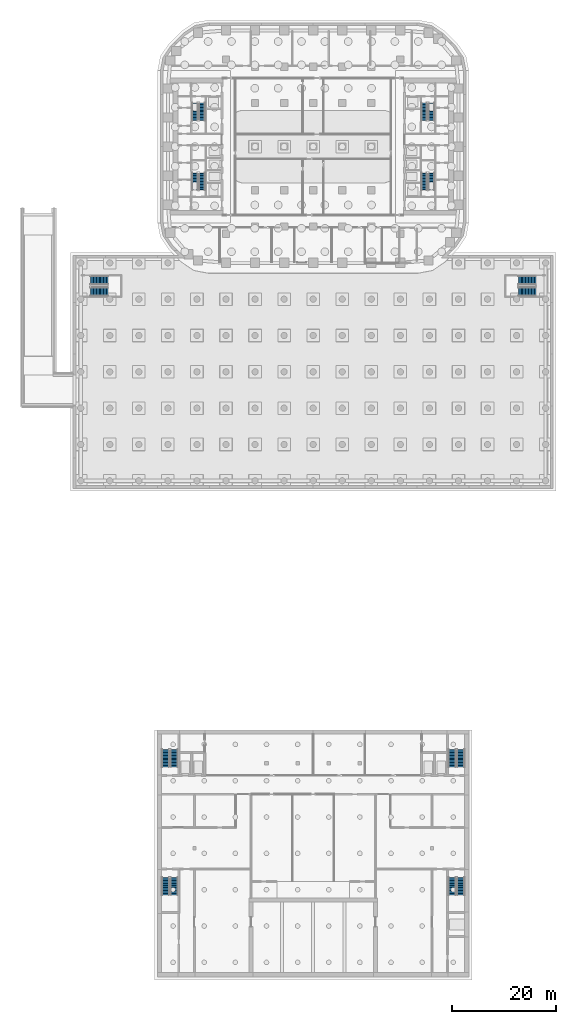
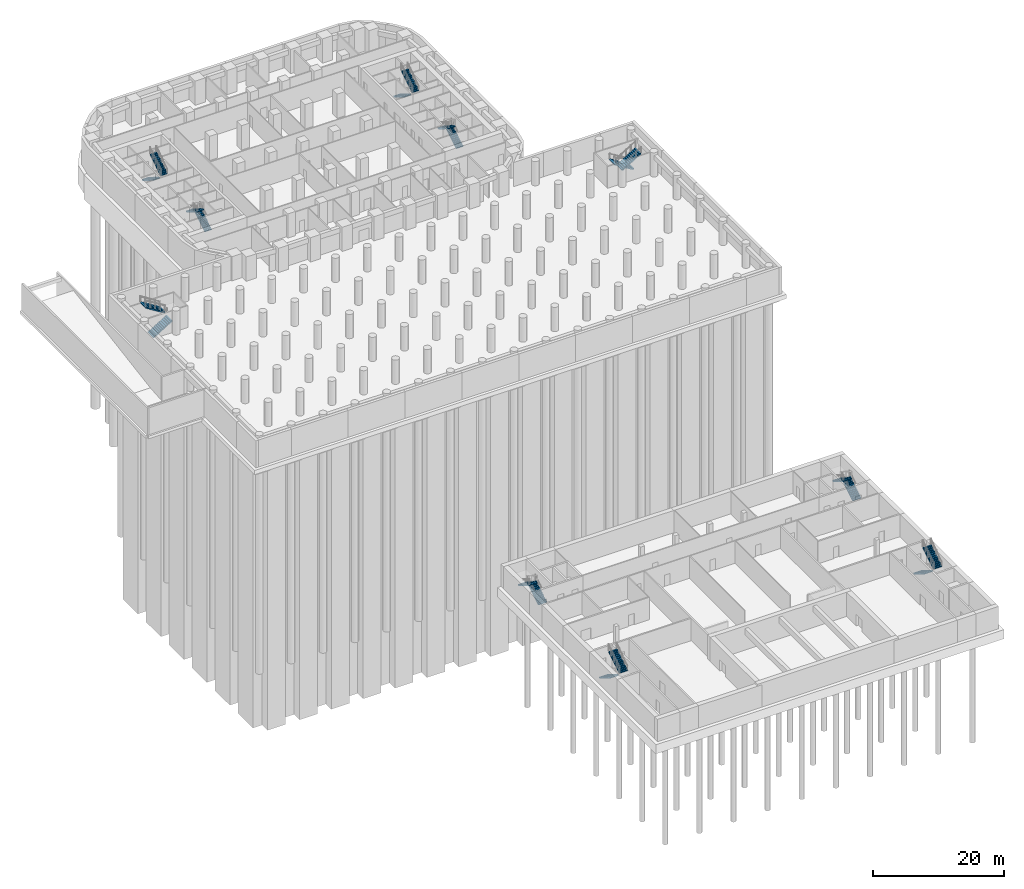
# One storey, part 15 of 23: 20 stair flights, 10 elements without a shape of their own.
"""IFC4 building model written with IfcOpenShell, lengths in metres."""

import ifcopenshell
import ifcopenshell.guid

model = None  # the IFC model being written
_history = None  # IfcOwnerHistory: only IFC2X3 demands one
_inside = {}  # id of a spatial element -> (the spatial element, [elements in it])
_under = {}  # id of a project, library or spatial element -> (it, [spatial elements below it])
_declared = {}  # id of a project -> (the project, [libraries it declares])
_typed = {}  # id of a type object -> (the type object, [elements of that type])
_made_of = {}  # id of a material, layer set ... -> (it, [elements and type objects made of it])


def new_model(schema):
    """Start an empty IFC model of exactly this schema.

    Asked for "IFC4X3", IfcOpenShell would pick the latest addendum, in which some entities
    have other attributes; the version numbers below select the first issue.
    IFC2X3 requires an IfcOwnerHistory on every rooted entity: one is made here for all.
    """
    global model, _history
    if schema == "IFC4X3":
        model = ifcopenshell.file(schema_version=(4, 3, 0, 0))
    else:
        model = ifcopenshell.file(schema=schema)
    _inside.clear()
    _under.clear()
    _declared.clear()
    _typed.clear()
    _made_of.clear()
    _history = None
    if model.schema == "IFC2X3":
        org = make("IfcOrganization", Name="unknown")
        user = make(
            "IfcPersonAndOrganization",
            ThePerson=make("IfcPerson", FamilyName="unknown"),
            TheOrganization=org,
        )
        app = make(
            "IfcApplication",
            ApplicationDeveloper=org,
            Version="unknown",
            ApplicationFullName="unknown",
            ApplicationIdentifier="unknown",
        )
        _history = make(
            "IfcOwnerHistory",
            OwningUser=user,
            OwningApplication=app,
            ChangeAction="ADDED",
            CreationDate=0,
        )
    return model


def make(cls, **values):
    """One entity of the class cls with the attributes given. An attribute that is None is left unset."""
    return model.create_entity(
        cls, **{name: value for name, value in values.items() if value is not None}
    )


def rooted(cls, **values):
    """An entity with a GlobalId (a new one), such as an element, a storey or a relation."""
    return make(cls, GlobalId=ifcopenshell.guid.new(), OwnerHistory=_history, **values)


def si_unit(unit_type, name, prefix=None):
    """IfcSIUnit, for example si_unit("LENGTHUNIT", "METRE", prefix="MILLI")."""
    return make("IfcSIUnit", UnitType=unit_type, Prefix=prefix, Name=name)


def assignment(units):
    """IfcUnitAssignment: the units of a project."""
    return None if units is None else make("IfcUnitAssignment", Units=units)


def point(xyz):
    """IfcCartesianPoint."""
    return None if xyz is None else make("IfcCartesianPoint", Coordinates=xyz)


def direction(xyz):
    """IfcDirection."""
    return None if xyz is None else make("IfcDirection", DirectionRatios=xyz)


def frame(location, z_axis=None, x_axis=None):
    """IfcAxis2Placement3D, a coordinate frame: its origin and axes. An axis left out is left unset."""
    return make(
        "IfcAxis2Placement3D",
        Location=point(location),
        Axis=direction(z_axis),
        RefDirection=direction(x_axis),
    )


def origin():
    """The frame at (0, 0, 0) with its axes left unset."""
    return frame((0.0, 0.0, 0.0))


def place(relative_to, where):
    """IfcLocalPlacement: puts the frame where relative to a parent placement (None: the world)."""
    return make(
        "IfcLocalPlacement", PlacementRelTo=relative_to, RelativePlacement=where
    )


def context(
    kind, dimensions, precision=None, world=None, true_north=None, identifier=None
):
    """IfcGeometricRepresentationContext, for example the 3D "Model" context."""
    return make(
        "IfcGeometricRepresentationContext",
        ContextIdentifier=identifier,
        ContextType=kind,
        CoordinateSpaceDimension=dimensions,
        Precision=precision,
        WorldCoordinateSystem=world,
        TrueNorth=true_north,
    )


def subcontext(parent, identifier, kind, view, scale=None):
    """IfcGeometricRepresentationSubContext, for example "Body" below "Model"."""
    return make(
        "IfcGeometricRepresentationSubContext",
        ContextIdentifier=identifier,
        ContextType=kind,
        ParentContext=parent,
        TargetScale=scale,
        TargetView=view,
    )


def project(units=None, contexts=None):
    """IfcProject with its units and contexts."""
    return rooted(
        "IfcProject",
        Name="project",
        RepresentationContexts=contexts,
        UnitsInContext=assignment(units),
    )


def spatial(cls, under=None, at=None, **own):
    """A site, building, storey or space (cls), placed at a placement, below another one or the project."""
    s = rooted(cls, ObjectPlacement=at, **own)
    if under is not None:
        _under.setdefault(under.id(), (under, []))[1].append(s)
    return s


def polyline(points):
    """IfcPolyline through the points."""
    return make("IfcPolyline", Points=[point(p) for p in points])


def outline(outer, holes=None, kind="AREA"):
    """IfcArbitraryClosedProfileDef: a profile drawn as a closed curve; with holes, ...WithVoids."""
    if holes is None:
        return make("IfcArbitraryClosedProfileDef", ProfileType=kind, OuterCurve=outer)
    return make(
        "IfcArbitraryProfileDefWithVoids",
        ProfileType=kind,
        OuterCurve=outer,
        InnerCurves=holes,
    )


def extrude(swept, where, along, depth):
    """IfcExtrudedAreaSolid: the profile swept, set in the frame where, extruded along a direction by depth."""
    return make(
        "IfcExtrudedAreaSolid",
        SweptArea=swept,
        Position=where,
        ExtrudedDirection=direction(along),
        Depth=depth,
    )


def shape(context_of_items, identifier, shape_type, items):
    """IfcShapeRepresentation: the items that make up one representation, for example the "Body"."""
    return make(
        "IfcShapeRepresentation",
        ContextOfItems=context_of_items,
        RepresentationIdentifier=identifier,
        RepresentationType=shape_type,
        Items=items,
    )


def material(Name=None, Category=None):
    """IfcMaterial."""
    return make("IfcMaterial", Name=Name, Category=Category)


def made_of(thing, what):
    """Note that an element or type object is made of a material, layer set ...; save() writes the relation."""
    if what is not None:
        _made_of.setdefault(what.id(), (what, []))[1].append(thing)
    return thing


def type_object(cls, material=None, **own):
    """A type object (cls), such as IfcWallType, which elements share."""
    return made_of(rooted(cls, **own), material)


def element(
    cls,
    number,
    at=None,
    inside=None,
    cuts=None,
    type_object=None,
    material=None,
    context=None,
    identifier="Body",
    shape_type=None,
    held_by="IfcProductDefinitionShape",
    body=None,
    shapes=None,
    **own,
):
    """One element of the class cls, such as IfcWall. Its Tag is "e" and its number.

    at: its placement. inside: the storey or other place that contains it. cuts: it is an
    opening in that element (IfcRelVoidsElement). A single representation is given by context,
    identifier, shape_type and body (its items); several are given by shapes. held_by: the class
    of the entity that holds the representations. save() writes the other relations.
    """
    e = rooted(cls, Tag="e%d" % number, ObjectPlacement=at, **own)
    if body is not None:
        shapes = [shape(context, identifier, shape_type, body)]
    if shapes is not None:
        e.Representation = make(held_by, Representations=shapes)
    if inside is not None:
        _inside.setdefault(inside.id(), (inside, []))[1].append(e)
    if cuts is not None:
        rooted(
            "IfcRelVoidsElement", RelatingBuildingElement=cuts, RelatedOpeningElement=e
        )
    if type_object is not None:
        _typed.setdefault(type_object.id(), (type_object, []))[1].append(e)
    return made_of(e, material)


def aggregate(whole, parts):
    """IfcRelAggregates: a whole, such as a stair, and the parts it consists of."""
    return rooted("IfcRelAggregates", RelatingObject=whole, RelatedObjects=parts)


def save(model, path):
    """Write the relations noted so far, then the file.

    IfcRelAggregates (storeys below a building ...), IfcRelContainedInSpatialStructure (elements
    in a storey), IfcRelDefinesByType, IfcRelAssociatesMaterial and IfcRelDeclares: one each for
    every whole, place, type object, material and project.
    """
    for whole, parts in _under.values():
        aggregate(whole, parts)
    for where, things in _inside.values():
        rooted(
            "IfcRelContainedInSpatialStructure",
            RelatedElements=things,
            RelatingStructure=where,
        )
    for kind, things in _typed.values():
        rooted("IfcRelDefinesByType", RelatedObjects=things, RelatingType=kind)
    for what, things in _made_of.values():
        rooted("IfcRelAssociatesMaterial", RelatedObjects=things, RelatingMaterial=what)
    for by, libraries in _declared.values():
        rooted("IfcRelDeclares", RelatingContext=by, RelatedDefinitions=libraries)
    model.write(path)


model = new_model("IFC4")

# Units and contexts
model_context = context("Model", 3, precision=1e-05, world=origin(), true_north=direction((0.0, 1.0)))
body_context = subcontext(model_context, "Body", "Model", "MODEL_VIEW")
ifc_project = project(units=[si_unit("LENGTHUNIT", "METRE"), si_unit("AREAUNIT", "SQUARE_METRE"), si_unit("VOLUMEUNIT", "CUBIC_METRE"), si_unit("PLANEANGLEUNIT", "RADIAN"), si_unit("MASSUNIT", "GRAM", prefix="KILO")], contexts=[model_context])

# Site, building, storey
site_placement = place(None, origin())
site = spatial("IfcSite", under=ifc_project, at=site_placement, CompositionType="ELEMENT")
building_placement = place(site_placement, origin())
building = spatial("IfcBuilding", under=site, at=building_placement, Name="Kiln Ring Residences", CompositionType="ELEMENT")
storey_placement = place(building_placement, frame((0.0, 0.0, -4.5)))
storey = spatial("IfcBuildingStorey", under=building, at=storey_placement, Name="B1", CompositionType="ELEMENT", Elevation=-4.5)

# Stair, stair flights
ifc_material_1 = material(Name="Concrete C40/50", Category="concrete")
stair_type_1 = type_object("IfcStairType", Name="CORE-STAIR", PredefinedType="HALF_TURN_STAIR", material=ifc_material_1)
placement = place(storey_placement, origin())
stair_1 = element("IfcStair", 1, at=placement, inside=storey, type_object=stair_type_1, Name="B1 stair W-STN", PredefinedType="HALF_TURN_STAIR")
ifc_material_2 = material(Name="Concrete C40/50", Category="concrete")
stair_flight_type_1 = type_object("IfcStairFlightType", Name="CORE-STAIR-FLIGHT", PredefinedType="STRAIGHT", material=ifc_material_2)
stair_flight_1_placement = place(storey_placement, frame((-22.800048828125, 8.39990234375, 0.0), z_axis=(0.0, 0.0, 1.0), x_axis=(0.0, -1.0, 0.0)))
stair_flight_1 = element("IfcStairFlight", 2, at=stair_flight_1_placement, type_object=stair_flight_type_1, Name="W-STN flight 1", NumberOfRisers=13, NumberOfTreads=12, PredefinedType="STRAIGHT", RiserHeight=0.173076923, TreadLength=0.28, context=body_context, shape_type="SweptSolid", body=[
    extrude(outline(polyline([(0.0, 0.0), (0.0, 0.173095703125), (0.280029296875, 0.173095703125), (0.280029296875, 0.34619140625), (0.56005859375, 0.34619140625), (0.56005859375, 0.519287109375), (0.840087890625, 0.519287109375), (0.840087890625, 0.6923828125), (1.1201171875, 0.6923828125), (1.1201171875, 0.865478515625), (1.39990234375, 0.865478515625), (1.39990234375, 1.03857421875), (1.679931640625, 1.03857421875), (1.679931640625, 1.21142578125), (1.9599609375, 1.21142578125), (1.9599609375, 1.384521484375), (2.239990234375, 1.384521484375), (2.239990234375, 1.5576171875), (2.52001953125, 1.5576171875), (2.52001953125, 1.730712890625), (2.800048828125, 1.730712890625), (2.800048828125, 1.90380859375), (3.080078125, 1.90380859375), (3.080078125, 2.076904296875), (3.360107421875, 2.076904296875), (3.360107421875, 2.25), (3.360107421875, 1.900634765625), (0.28515625, 0.0), (0.0, 0.0)])), frame((0.0, 0.60009765625, 0.0), z_axis=(0.0, -1.0, 0.0), x_axis=(1.0, 0.0, 0.0)), (0.0, 0.0, 1.0), 1.199951171875),
])
stair_flight_2_placement = place(storey_placement, frame((-21.39990234375, 5.0400390625, 2.25), z_axis=(0.0, 0.0, 1.0), x_axis=(0.0, 1.0, 0.0)))
stair_flight_2 = element("IfcStairFlight", 3, at=stair_flight_2_placement, type_object=stair_flight_type_1, Name="W-STN flight 2", NumberOfRisers=13, NumberOfTreads=12, PredefinedType="STRAIGHT", RiserHeight=0.173076923, TreadLength=0.28, context=body_context, shape_type="SweptSolid", body=[
    extrude(outline(polyline([(0.0, 0.0), (0.0, 0.173095703125), (0.280029296875, 0.173095703125), (0.280029296875, 0.34619140625), (0.56005859375, 0.34619140625), (0.56005859375, 0.519287109375), (0.840087890625, 0.519287109375), (0.840087890625, 0.6923828125), (1.1201171875, 0.6923828125), (1.1201171875, 0.865478515625), (1.39990234375, 0.865478515625), (1.39990234375, 1.03857421875), (1.679931640625, 1.03857421875), (1.679931640625, 1.21142578125), (1.9599609375, 1.21142578125), (1.9599609375, 1.384521484375), (2.239990234375, 1.384521484375), (2.239990234375, 1.5576171875), (2.52001953125, 1.5576171875), (2.52001953125, 1.730712890625), (2.800048828125, 1.730712890625), (2.800048828125, 1.90380859375), (3.080078125, 1.90380859375), (3.080078125, 2.076904296875), (3.360107421875, 2.076904296875), (3.360107421875, 2.25), (3.360107421875, 1.900634765625), (0.28515625, 0.0), (0.0, 0.0)])), frame((0.0, 0.60009765625, 0.0), z_axis=(0.0, -1.0, 0.0), x_axis=(1.0, 0.0, 0.0)), (0.0, 0.0, 1.0), 1.199951171875),
])
aggregate(stair_1, [stair_flight_1, stair_flight_2])

stair_2 = element("IfcStair", 4, at=placement, inside=storey, type_object=stair_type_1, Name="B1 stair W-STS", PredefinedType="HALF_TURN_STAIR")
stair_flight_3_placement = place(storey_placement, frame((-21.39990234375, -8.39990234375, 0.0), z_axis=(0.0, 0.0, 1.0), x_axis=(0.0, 1.0, 0.0)))
stair_flight_3 = element("IfcStairFlight", 5, at=stair_flight_3_placement, type_object=stair_flight_type_1, Name="W-STS flight 1", NumberOfRisers=13, NumberOfTreads=12, PredefinedType="STRAIGHT", RiserHeight=0.173076923, TreadLength=0.28, context=body_context, shape_type="SweptSolid", body=[
    extrude(outline(polyline([(0.0, 0.0), (0.0, 0.173095703125), (0.280029296875, 0.173095703125), (0.280029296875, 0.34619140625), (0.56005859375, 0.34619140625), (0.56005859375, 0.519287109375), (0.840087890625, 0.519287109375), (0.840087890625, 0.6923828125), (1.1201171875, 0.6923828125), (1.1201171875, 0.865478515625), (1.39990234375, 0.865478515625), (1.39990234375, 1.03857421875), (1.679931640625, 1.03857421875), (1.679931640625, 1.21142578125), (1.9599609375, 1.21142578125), (1.9599609375, 1.384521484375), (2.239990234375, 1.384521484375), (2.239990234375, 1.5576171875), (2.52001953125, 1.5576171875), (2.52001953125, 1.730712890625), (2.800048828125, 1.730712890625), (2.800048828125, 1.90380859375), (3.080078125, 1.90380859375), (3.080078125, 2.076904296875), (3.360107421875, 2.076904296875), (3.360107421875, 2.25), (3.360107421875, 1.900634765625), (0.28515625, 0.0), (0.0, 0.0)])), frame((0.0, 0.60009765625, 0.0), z_axis=(0.0, -1.0, 0.0), x_axis=(1.0, 0.0, 0.0)), (0.0, 0.0, 1.0), 1.199951171875),
])
stair_flight_4_placement = place(storey_placement, frame((-22.800048828125, -5.0400390625, 2.25), z_axis=(0.0, 0.0, 1.0), x_axis=(0.0, -1.0, 0.0)))
stair_flight_4 = element("IfcStairFlight", 6, at=stair_flight_4_placement, type_object=stair_flight_type_1, Name="W-STS flight 2", NumberOfRisers=13, NumberOfTreads=12, PredefinedType="STRAIGHT", RiserHeight=0.173076923, TreadLength=0.28, context=body_context, shape_type="SweptSolid", body=[
    extrude(outline(polyline([(0.0, 0.0), (0.0, 0.173095703125), (0.280029296875, 0.173095703125), (0.280029296875, 0.34619140625), (0.56005859375, 0.34619140625), (0.56005859375, 0.519287109375), (0.840087890625, 0.519287109375), (0.840087890625, 0.6923828125), (1.1201171875, 0.6923828125), (1.1201171875, 0.865478515625), (1.39990234375, 0.865478515625), (1.39990234375, 1.03857421875), (1.679931640625, 1.03857421875), (1.679931640625, 1.21142578125), (1.9599609375, 1.21142578125), (1.9599609375, 1.384521484375), (2.239990234375, 1.384521484375), (2.239990234375, 1.5576171875), (2.52001953125, 1.5576171875), (2.52001953125, 1.730712890625), (2.800048828125, 1.730712890625), (2.800048828125, 1.90380859375), (3.080078125, 1.90380859375), (3.080078125, 2.076904296875), (3.360107421875, 2.076904296875), (3.360107421875, 2.25), (3.360107421875, 1.900634765625), (0.28515625, 0.0), (0.0, 0.0)])), frame((0.0, 0.60009765625, 0.0), z_axis=(0.0, -1.0, 0.0), x_axis=(1.0, 0.0, 0.0)), (0.0, 0.0, 1.0), 1.199951171875),
])
aggregate(stair_2, [stair_flight_3, stair_flight_4])

stair_3 = element("IfcStair", 7, at=placement, inside=storey, type_object=stair_type_1, Name="B1 stair E-STN", PredefinedType="HALF_TURN_STAIR")
stair_flight_5_placement = place(storey_placement, frame((21.39990234375, 8.39990234375, 0.0), z_axis=(0.0, 0.0, 1.0), x_axis=(0.0, -1.0, 0.0)))
stair_flight_5 = element("IfcStairFlight", 8, at=stair_flight_5_placement, type_object=stair_flight_type_1, Name="E-STN flight 1", NumberOfRisers=13, NumberOfTreads=12, PredefinedType="STRAIGHT", RiserHeight=0.173076923, TreadLength=0.28, context=body_context, shape_type="SweptSolid", body=[
    extrude(outline(polyline([(0.0, 0.0), (0.0, 0.173095703125), (0.280029296875, 0.173095703125), (0.280029296875, 0.34619140625), (0.56005859375, 0.34619140625), (0.56005859375, 0.519287109375), (0.840087890625, 0.519287109375), (0.840087890625, 0.6923828125), (1.1201171875, 0.6923828125), (1.1201171875, 0.865478515625), (1.39990234375, 0.865478515625), (1.39990234375, 1.03857421875), (1.679931640625, 1.03857421875), (1.679931640625, 1.21142578125), (1.9599609375, 1.21142578125), (1.9599609375, 1.384521484375), (2.239990234375, 1.384521484375), (2.239990234375, 1.5576171875), (2.52001953125, 1.5576171875), (2.52001953125, 1.730712890625), (2.800048828125, 1.730712890625), (2.800048828125, 1.90380859375), (3.080078125, 1.90380859375), (3.080078125, 2.076904296875), (3.360107421875, 2.076904296875), (3.360107421875, 2.25), (3.360107421875, 1.900634765625), (0.28515625, 0.0), (0.0, 0.0)])), frame((0.0, 0.60009765625, 0.0), z_axis=(0.0, -1.0, 0.0), x_axis=(1.0, 0.0, 0.0)), (0.0, 0.0, 1.0), 1.199951171875),
])
stair_flight_6_placement = place(storey_placement, frame((22.800048828125, 5.0400390625, 2.25), z_axis=(0.0, 0.0, 1.0), x_axis=(0.0, 1.0, 0.0)))
stair_flight_6 = element("IfcStairFlight", 9, at=stair_flight_6_placement, type_object=stair_flight_type_1, Name="E-STN flight 2", NumberOfRisers=13, NumberOfTreads=12, PredefinedType="STRAIGHT", RiserHeight=0.173076923, TreadLength=0.28, context=body_context, shape_type="SweptSolid", body=[
    extrude(outline(polyline([(0.0, 0.0), (0.0, 0.173095703125), (0.280029296875, 0.173095703125), (0.280029296875, 0.34619140625), (0.56005859375, 0.34619140625), (0.56005859375, 0.519287109375), (0.840087890625, 0.519287109375), (0.840087890625, 0.6923828125), (1.1201171875, 0.6923828125), (1.1201171875, 0.865478515625), (1.39990234375, 0.865478515625), (1.39990234375, 1.03857421875), (1.679931640625, 1.03857421875), (1.679931640625, 1.21142578125), (1.9599609375, 1.21142578125), (1.9599609375, 1.384521484375), (2.239990234375, 1.384521484375), (2.239990234375, 1.5576171875), (2.52001953125, 1.5576171875), (2.52001953125, 1.730712890625), (2.800048828125, 1.730712890625), (2.800048828125, 1.90380859375), (3.080078125, 1.90380859375), (3.080078125, 2.076904296875), (3.360107421875, 2.076904296875), (3.360107421875, 2.25), (3.360107421875, 1.900634765625), (0.28515625, 0.0), (0.0, 0.0)])), frame((0.0, 0.60009765625, 0.0), z_axis=(0.0, -1.0, 0.0), x_axis=(1.0, 0.0, 0.0)), (0.0, 0.0, 1.0), 1.199951171875),
])
aggregate(stair_3, [stair_flight_5, stair_flight_6])

stair_4 = element("IfcStair", 10, at=placement, inside=storey, type_object=stair_type_1, Name="B1 stair E-STS", PredefinedType="HALF_TURN_STAIR")
stair_flight_7_placement = place(storey_placement, frame((22.800048828125, -8.39990234375, 0.0), z_axis=(0.0, 0.0, 1.0), x_axis=(0.0, 1.0, 0.0)))
stair_flight_7 = element("IfcStairFlight", 11, at=stair_flight_7_placement, type_object=stair_flight_type_1, Name="E-STS flight 1", NumberOfRisers=13, NumberOfTreads=12, PredefinedType="STRAIGHT", RiserHeight=0.173076923, TreadLength=0.28, context=body_context, shape_type="SweptSolid", body=[
    extrude(outline(polyline([(0.0, 0.0), (0.0, 0.173095703125), (0.280029296875, 0.173095703125), (0.280029296875, 0.34619140625), (0.56005859375, 0.34619140625), (0.56005859375, 0.519287109375), (0.840087890625, 0.519287109375), (0.840087890625, 0.6923828125), (1.1201171875, 0.6923828125), (1.1201171875, 0.865478515625), (1.39990234375, 0.865478515625), (1.39990234375, 1.03857421875), (1.679931640625, 1.03857421875), (1.679931640625, 1.21142578125), (1.9599609375, 1.21142578125), (1.9599609375, 1.384521484375), (2.239990234375, 1.384521484375), (2.239990234375, 1.5576171875), (2.52001953125, 1.5576171875), (2.52001953125, 1.730712890625), (2.800048828125, 1.730712890625), (2.800048828125, 1.90380859375), (3.080078125, 1.90380859375), (3.080078125, 2.076904296875), (3.360107421875, 2.076904296875), (3.360107421875, 2.25), (3.360107421875, 1.900634765625), (0.28515625, 0.0), (0.0, 0.0)])), frame((0.0, 0.60009765625, 0.0), z_axis=(0.0, -1.0, 0.0), x_axis=(1.0, 0.0, 0.0)), (0.0, 0.0, 1.0), 1.199951171875),
])
stair_flight_8_placement = place(storey_placement, frame((21.39990234375, -5.0400390625, 2.25), z_axis=(0.0, 0.0, 1.0), x_axis=(0.0, -1.0, 0.0)))
stair_flight_8 = element("IfcStairFlight", 12, at=stair_flight_8_placement, type_object=stair_flight_type_1, Name="E-STS flight 2", NumberOfRisers=13, NumberOfTreads=12, PredefinedType="STRAIGHT", RiserHeight=0.173076923, TreadLength=0.28, context=body_context, shape_type="SweptSolid", body=[
    extrude(outline(polyline([(0.0, 0.0), (0.0, 0.173095703125), (0.280029296875, 0.173095703125), (0.280029296875, 0.34619140625), (0.56005859375, 0.34619140625), (0.56005859375, 0.519287109375), (0.840087890625, 0.519287109375), (0.840087890625, 0.6923828125), (1.1201171875, 0.6923828125), (1.1201171875, 0.865478515625), (1.39990234375, 0.865478515625), (1.39990234375, 1.03857421875), (1.679931640625, 1.03857421875), (1.679931640625, 1.21142578125), (1.9599609375, 1.21142578125), (1.9599609375, 1.384521484375), (2.239990234375, 1.384521484375), (2.239990234375, 1.5576171875), (2.52001953125, 1.5576171875), (2.52001953125, 1.730712890625), (2.800048828125, 1.730712890625), (2.800048828125, 1.90380859375), (3.080078125, 1.90380859375), (3.080078125, 2.076904296875), (3.360107421875, 2.076904296875), (3.360107421875, 2.25), (3.360107421875, 1.900634765625), (0.28515625, 0.0), (0.0, 0.0)])), frame((0.0, 0.60009765625, 0.0), z_axis=(0.0, -1.0, 0.0), x_axis=(1.0, 0.0, 0.0)), (0.0, 0.0, 1.0), 1.199951171875),
])
aggregate(stair_4, [stair_flight_7, stair_flight_8])

ifc_material_3 = material(Name="Concrete C40/50", Category="concrete")
stair_type_2 = type_object("IfcStairType", Name="Hall reinforced concrete stair", PredefinedType="HALF_TURN_STAIR", material=ifc_material_3)
stair_5 = element("IfcStair", 13, at=placement, inside=storey, type_object=stair_type_2, Name="B1 Hall stair ST1", PredefinedType="HALF_TURN_STAIR")
ifc_material_4 = material(Name="Concrete C40/50", Category="concrete")
stair_flight_type_2 = type_object("IfcStairFlightType", Name="Hall reinforced concrete stair flight", PredefinedType="STRAIGHT", material=ifc_material_4)
stair_flight_9_placement = place(storey_placement, frame((-26.800048828125, -119.550048828125, 0.0), z_axis=(0.0, 0.0, 1.0), x_axis=(0.0, 1.0, 0.0)))
stair_flight_9 = element("IfcStairFlight", 14, at=stair_flight_9_placement, type_object=stair_flight_type_2, Name="HALL.ST1 flight 1", NumberOfRisers=13, NumberOfTreads=12, PredefinedType="STRAIGHT", RiserHeight=0.173076923, TreadLength=0.28, context=body_context, shape_type="SweptSolid", body=[
    extrude(outline(polyline([(0.0, 0.0), (0.0, 0.173095703125), (0.280029296875, 0.173095703125), (0.280029296875, 0.34619140625), (0.56005859375, 0.34619140625), (0.56005859375, 0.519287109375), (0.840087890625, 0.519287109375), (0.840087890625, 0.6923828125), (1.1201171875, 0.6923828125), (1.1201171875, 0.865478515625), (1.39990234375, 0.865478515625), (1.39990234375, 1.03857421875), (1.679931640625, 1.03857421875), (1.679931640625, 1.21142578125), (1.9599609375, 1.21142578125), (1.9599609375, 1.384521484375), (2.239990234375, 1.384521484375), (2.239990234375, 1.5576171875), (2.52001953125, 1.5576171875), (2.52001953125, 1.730712890625), (2.800048828125, 1.730712890625), (2.800048828125, 1.90380859375), (3.080078125, 1.90380859375), (3.080078125, 2.076904296875), (3.360107421875, 2.076904296875), (3.360107421875, 2.25), (3.360107421875, 1.900634765625), (0.28515625, 0.0), (0.0, 0.0)])), frame((0.0, 0.75, 0.0), z_axis=(0.0, -1.0, 0.0), x_axis=(1.0, 0.0, 0.0)), (0.0, 0.0, 1.0), 1.5),
])
stair_flight_10_placement = place(storey_placement, frame((-28.449951171875, -116.18994140625, 2.25), z_axis=(0.0, 0.0, 1.0), x_axis=(0.0, -1.0, 0.0)))
stair_flight_10 = element("IfcStairFlight", 15, at=stair_flight_10_placement, type_object=stair_flight_type_2, Name="HALL.ST1 flight 2", NumberOfRisers=13, NumberOfTreads=12, PredefinedType="STRAIGHT", RiserHeight=0.173076923, TreadLength=0.28, context=body_context, shape_type="SweptSolid", body=[
    extrude(outline(polyline([(0.0, 0.0), (0.0, 0.173095703125), (0.280029296875, 0.173095703125), (0.280029296875, 0.34619140625), (0.56005859375, 0.34619140625), (0.56005859375, 0.519287109375), (0.840087890625, 0.519287109375), (0.840087890625, 0.6923828125), (1.1201171875, 0.6923828125), (1.1201171875, 0.865478515625), (1.39990234375, 0.865478515625), (1.39990234375, 1.03857421875), (1.679931640625, 1.03857421875), (1.679931640625, 1.21142578125), (1.9599609375, 1.21142578125), (1.9599609375, 1.384521484375), (2.239990234375, 1.384521484375), (2.239990234375, 1.5576171875), (2.52001953125, 1.5576171875), (2.52001953125, 1.730712890625), (2.800048828125, 1.730712890625), (2.800048828125, 1.90380859375), (3.080078125, 1.90380859375), (3.080078125, 2.076904296875), (3.360107421875, 2.076904296875), (3.360107421875, 2.25), (3.360107421875, 1.900634765625), (0.28515625, 0.0), (0.0, 0.0)])), frame((0.0, 0.75, 0.0), z_axis=(0.0, -1.0, 0.0), x_axis=(1.0, 0.0, 0.0)), (0.0, 0.0, 1.0), 1.5),
])
aggregate(stair_5, [stair_flight_9, stair_flight_10])

stair_6 = element("IfcStair", 16, at=placement, inside=storey, type_object=stair_type_2, Name="B1 Hall stair ST2", PredefinedType="HALF_TURN_STAIR")
stair_flight_11_placement = place(storey_placement, frame((28.449951171875, -119.550048828125, 0.0), z_axis=(0.0, 0.0, 1.0), x_axis=(0.0, 1.0, 0.0)))
stair_flight_11 = element("IfcStairFlight", 17, at=stair_flight_11_placement, type_object=stair_flight_type_2, Name="HALL.ST2 flight 1", NumberOfRisers=13, NumberOfTreads=12, PredefinedType="STRAIGHT", RiserHeight=0.173076923, TreadLength=0.28, context=body_context, shape_type="SweptSolid", body=[
    extrude(outline(polyline([(0.0, 0.0), (0.0, 0.173095703125), (0.280029296875, 0.173095703125), (0.280029296875, 0.34619140625), (0.56005859375, 0.34619140625), (0.56005859375, 0.519287109375), (0.840087890625, 0.519287109375), (0.840087890625, 0.6923828125), (1.1201171875, 0.6923828125), (1.1201171875, 0.865478515625), (1.39990234375, 0.865478515625), (1.39990234375, 1.03857421875), (1.679931640625, 1.03857421875), (1.679931640625, 1.21142578125), (1.9599609375, 1.21142578125), (1.9599609375, 1.384521484375), (2.239990234375, 1.384521484375), (2.239990234375, 1.5576171875), (2.52001953125, 1.5576171875), (2.52001953125, 1.730712890625), (2.800048828125, 1.730712890625), (2.800048828125, 1.90380859375), (3.080078125, 1.90380859375), (3.080078125, 2.076904296875), (3.360107421875, 2.076904296875), (3.360107421875, 2.25), (3.360107421875, 1.900634765625), (0.28515625, 0.0), (0.0, 0.0)])), frame((0.0, 0.75, 0.0), z_axis=(0.0, -1.0, 0.0), x_axis=(1.0, 0.0, 0.0)), (0.0, 0.0, 1.0), 1.5),
])
stair_flight_12_placement = place(storey_placement, frame((26.800048828125, -116.18994140625, 2.25), z_axis=(0.0, 0.0, 1.0), x_axis=(0.0, -1.0, 0.0)))
stair_flight_12 = element("IfcStairFlight", 18, at=stair_flight_12_placement, type_object=stair_flight_type_2, Name="HALL.ST2 flight 2", NumberOfRisers=13, NumberOfTreads=12, PredefinedType="STRAIGHT", RiserHeight=0.173076923, TreadLength=0.28, context=body_context, shape_type="SweptSolid", body=[
    extrude(outline(polyline([(0.0, 0.0), (0.0, 0.173095703125), (0.280029296875, 0.173095703125), (0.280029296875, 0.34619140625), (0.56005859375, 0.34619140625), (0.56005859375, 0.519287109375), (0.840087890625, 0.519287109375), (0.840087890625, 0.6923828125), (1.1201171875, 0.6923828125), (1.1201171875, 0.865478515625), (1.39990234375, 0.865478515625), (1.39990234375, 1.03857421875), (1.679931640625, 1.03857421875), (1.679931640625, 1.21142578125), (1.9599609375, 1.21142578125), (1.9599609375, 1.384521484375), (2.239990234375, 1.384521484375), (2.239990234375, 1.5576171875), (2.52001953125, 1.5576171875), (2.52001953125, 1.730712890625), (2.800048828125, 1.730712890625), (2.800048828125, 1.90380859375), (3.080078125, 1.90380859375), (3.080078125, 2.076904296875), (3.360107421875, 2.076904296875), (3.360107421875, 2.25), (3.360107421875, 1.900634765625), (0.28515625, 0.0), (0.0, 0.0)])), frame((0.0, 0.75, 0.0), z_axis=(0.0, -1.0, 0.0), x_axis=(1.0, 0.0, 0.0)), (0.0, 0.0, 1.0), 1.5),
])
aggregate(stair_6, [stair_flight_11, stair_flight_12])

stair_7 = element("IfcStair", 19, at=placement, inside=storey, type_object=stair_type_2, Name="B1 Hall stair ST3", PredefinedType="HALF_TURN_STAIR")
stair_flight_13_placement = place(storey_placement, frame((-28.449951171875, -140.85009765625, 0.0), z_axis=(0.0, 0.0, 1.0), x_axis=(0.0, -1.0, 0.0)))
stair_flight_13 = element("IfcStairFlight", 20, at=stair_flight_13_placement, type_object=stair_flight_type_2, Name="HALL.ST3 flight 1", NumberOfRisers=13, NumberOfTreads=12, PredefinedType="STRAIGHT", RiserHeight=0.173076923, TreadLength=0.28, context=body_context, shape_type="SweptSolid", body=[
    extrude(outline(polyline([(0.0, 0.0), (0.0, 0.173095703125), (0.280029296875, 0.173095703125), (0.280029296875, 0.34619140625), (0.56005859375, 0.34619140625), (0.56005859375, 0.519287109375), (0.840087890625, 0.519287109375), (0.840087890625, 0.6923828125), (1.1201171875, 0.6923828125), (1.1201171875, 0.865478515625), (1.39990234375, 0.865478515625), (1.39990234375, 1.03857421875), (1.679931640625, 1.03857421875), (1.679931640625, 1.21142578125), (1.9599609375, 1.21142578125), (1.9599609375, 1.384521484375), (2.239990234375, 1.384521484375), (2.239990234375, 1.5576171875), (2.52001953125, 1.5576171875), (2.52001953125, 1.730712890625), (2.800048828125, 1.730712890625), (2.800048828125, 1.90380859375), (3.080078125, 1.90380859375), (3.080078125, 2.076904296875), (3.360107421875, 2.076904296875), (3.360107421875, 2.25), (3.360107421875, 1.900634765625), (0.28515625, 0.0), (0.0, 0.0)])), frame((0.0, 0.75, 0.0), z_axis=(0.0, -1.0, 0.0), x_axis=(1.0, 0.0, 0.0)), (0.0, 0.0, 1.0), 1.5),
])
stair_flight_14_placement = place(storey_placement, frame((-26.800048828125, -144.2099609375, 2.25), z_axis=(0.0, 0.0, 1.0), x_axis=(0.0, 1.0, 0.0)))
stair_flight_14 = element("IfcStairFlight", 21, at=stair_flight_14_placement, type_object=stair_flight_type_2, Name="HALL.ST3 flight 2", NumberOfRisers=13, NumberOfTreads=12, PredefinedType="STRAIGHT", RiserHeight=0.173076923, TreadLength=0.28, context=body_context, shape_type="SweptSolid", body=[
    extrude(outline(polyline([(0.0, 0.0), (0.0, 0.173095703125), (0.280029296875, 0.173095703125), (0.280029296875, 0.34619140625), (0.56005859375, 0.34619140625), (0.56005859375, 0.519287109375), (0.840087890625, 0.519287109375), (0.840087890625, 0.6923828125), (1.1201171875, 0.6923828125), (1.1201171875, 0.865478515625), (1.39990234375, 0.865478515625), (1.39990234375, 1.03857421875), (1.679931640625, 1.03857421875), (1.679931640625, 1.21142578125), (1.9599609375, 1.21142578125), (1.9599609375, 1.384521484375), (2.239990234375, 1.384521484375), (2.239990234375, 1.5576171875), (2.52001953125, 1.5576171875), (2.52001953125, 1.730712890625), (2.800048828125, 1.730712890625), (2.800048828125, 1.90380859375), (3.080078125, 1.90380859375), (3.080078125, 2.076904296875), (3.360107421875, 2.076904296875), (3.360107421875, 2.25), (3.360107421875, 1.900634765625), (0.28515625, 0.0), (0.0, 0.0)])), frame((0.0, 0.75, 0.0), z_axis=(0.0, -1.0, 0.0), x_axis=(1.0, 0.0, 0.0)), (0.0, 0.0, 1.0), 1.5),
])
aggregate(stair_7, [stair_flight_13, stair_flight_14])

stair_8 = element("IfcStair", 22, at=placement, inside=storey, type_object=stair_type_2, Name="B1 Hall stair ST4", PredefinedType="HALF_TURN_STAIR")
stair_flight_15_placement = place(storey_placement, frame((26.800048828125, -140.85009765625, 0.0), z_axis=(0.0, 0.0, 1.0), x_axis=(0.0, -1.0, 0.0)))
stair_flight_15 = element("IfcStairFlight", 23, at=stair_flight_15_placement, type_object=stair_flight_type_2, Name="HALL.ST4 flight 1", NumberOfRisers=13, NumberOfTreads=12, PredefinedType="STRAIGHT", RiserHeight=0.173076923, TreadLength=0.28, context=body_context, shape_type="SweptSolid", body=[
    extrude(outline(polyline([(0.0, 0.0), (0.0, 0.173095703125), (0.280029296875, 0.173095703125), (0.280029296875, 0.34619140625), (0.56005859375, 0.34619140625), (0.56005859375, 0.519287109375), (0.840087890625, 0.519287109375), (0.840087890625, 0.6923828125), (1.1201171875, 0.6923828125), (1.1201171875, 0.865478515625), (1.39990234375, 0.865478515625), (1.39990234375, 1.03857421875), (1.679931640625, 1.03857421875), (1.679931640625, 1.21142578125), (1.9599609375, 1.21142578125), (1.9599609375, 1.384521484375), (2.239990234375, 1.384521484375), (2.239990234375, 1.5576171875), (2.52001953125, 1.5576171875), (2.52001953125, 1.730712890625), (2.800048828125, 1.730712890625), (2.800048828125, 1.90380859375), (3.080078125, 1.90380859375), (3.080078125, 2.076904296875), (3.360107421875, 2.076904296875), (3.360107421875, 2.25), (3.360107421875, 1.900634765625), (0.28515625, 0.0), (0.0, 0.0)])), frame((0.0, 0.75, 0.0), z_axis=(0.0, -1.0, 0.0), x_axis=(1.0, 0.0, 0.0)), (0.0, 0.0, 1.0), 1.5),
])
stair_flight_16_placement = place(storey_placement, frame((28.449951171875, -144.2099609375, 2.25), z_axis=(0.0, 0.0, 1.0), x_axis=(0.0, 1.0, 0.0)))
stair_flight_16 = element("IfcStairFlight", 24, at=stair_flight_16_placement, type_object=stair_flight_type_2, Name="HALL.ST4 flight 2", NumberOfRisers=13, NumberOfTreads=12, PredefinedType="STRAIGHT", RiserHeight=0.173076923, TreadLength=0.28, context=body_context, shape_type="SweptSolid", body=[
    extrude(outline(polyline([(0.0, 0.0), (0.0, 0.173095703125), (0.280029296875, 0.173095703125), (0.280029296875, 0.34619140625), (0.56005859375, 0.34619140625), (0.56005859375, 0.519287109375), (0.840087890625, 0.519287109375), (0.840087890625, 0.6923828125), (1.1201171875, 0.6923828125), (1.1201171875, 0.865478515625), (1.39990234375, 0.865478515625), (1.39990234375, 1.03857421875), (1.679931640625, 1.03857421875), (1.679931640625, 1.21142578125), (1.9599609375, 1.21142578125), (1.9599609375, 1.384521484375), (2.239990234375, 1.384521484375), (2.239990234375, 1.5576171875), (2.52001953125, 1.5576171875), (2.52001953125, 1.730712890625), (2.800048828125, 1.730712890625), (2.800048828125, 1.90380859375), (3.080078125, 1.90380859375), (3.080078125, 2.076904296875), (3.360107421875, 2.076904296875), (3.360107421875, 2.25), (3.360107421875, 1.900634765625), (0.28515625, 0.0), (0.0, 0.0)])), frame((0.0, 0.75, 0.0), z_axis=(0.0, -1.0, 0.0), x_axis=(1.0, 0.0, 0.0)), (0.0, 0.0, 1.0), 1.5),
])
aggregate(stair_8, [stair_flight_15, stair_flight_16])

ifc_material_5 = material(Name="Concrete C40/50", Category="concrete")
stair_type_3 = type_object("IfcStairType", Name="PODIUM-STAIR", PredefinedType="HALF_TURN_STAIR", material=ifc_material_5)
stair_9 = element("IfcStair", 25, at=placement, inside=storey, type_object=stair_type_3, Name="B1 exit stair PS-W", PredefinedType="HALF_TURN_STAIR")
ifc_material_6 = material(Name="Concrete C40/50", Category="concrete")
stair_flight_type_3 = type_object("IfcStairFlightType", Name="PODIUM-STAIR-FLIGHT", PredefinedType="STRAIGHT", material=ifc_material_6)
stair_flight_17_placement = place(storey_placement, frame((-42.89990234375, -27.949951171875, 0.0), z_axis=(0.0, 0.0, 1.0), x_axis=(1.0, 0.0, 0.0)))
stair_flight_17 = element("IfcStairFlight", 26, at=stair_flight_17_placement, type_object=stair_flight_type_3, Name="PS-W flight 1", NumberOfRisers=13, NumberOfTreads=12, PredefinedType="STRAIGHT", RiserHeight=0.173076923, TreadLength=0.28, context=body_context, shape_type="SweptSolid", body=[
    extrude(outline(polyline([(0.0, 0.0), (0.0, 0.173095703125), (0.280029296875, 0.173095703125), (0.280029296875, 0.34619140625), (0.56005859375, 0.34619140625), (0.56005859375, 0.519287109375), (0.840087890625, 0.519287109375), (0.840087890625, 0.6923828125), (1.1201171875, 0.6923828125), (1.1201171875, 0.865478515625), (1.39990234375, 0.865478515625), (1.39990234375, 1.03857421875), (1.679931640625, 1.03857421875), (1.679931640625, 1.21142578125), (1.9599609375, 1.21142578125), (1.9599609375, 1.384521484375), (2.239990234375, 1.384521484375), (2.239990234375, 1.5576171875), (2.52001953125, 1.5576171875), (2.52001953125, 1.730712890625), (2.800048828125, 1.730712890625), (2.800048828125, 1.90380859375), (3.080078125, 1.90380859375), (3.080078125, 2.076904296875), (3.360107421875, 2.076904296875), (3.360107421875, 2.25), (3.360107421875, 1.900634765625), (0.28515625, 0.0), (0.0, 0.0)])), frame((0.0, 0.85009765625, 0.0), z_axis=(0.0, -1.0, 0.0), x_axis=(1.0, 0.0, 0.0)), (0.0, 0.0, 1.0), 1.699951171875),
])
stair_flight_18_placement = place(storey_placement, frame((-39.5400390625, -25.75, 2.25), z_axis=(0.0, 0.0, 1.0), x_axis=(-1.0, 0.0, 0.0)))
stair_flight_18 = element("IfcStairFlight", 27, at=stair_flight_18_placement, type_object=stair_flight_type_3, Name="PS-W flight 2", NumberOfRisers=13, NumberOfTreads=12, PredefinedType="STRAIGHT", RiserHeight=0.173076923, TreadLength=0.28, context=body_context, shape_type="SweptSolid", body=[
    extrude(outline(polyline([(0.0, 0.0), (0.0, 0.173095703125), (0.280029296875, 0.173095703125), (0.280029296875, 0.34619140625), (0.56005859375, 0.34619140625), (0.56005859375, 0.519287109375), (0.840087890625, 0.519287109375), (0.840087890625, 0.6923828125), (1.1201171875, 0.6923828125), (1.1201171875, 0.865478515625), (1.39990234375, 0.865478515625), (1.39990234375, 1.03857421875), (1.679931640625, 1.03857421875), (1.679931640625, 1.21142578125), (1.9599609375, 1.21142578125), (1.9599609375, 1.384521484375), (2.239990234375, 1.384521484375), (2.239990234375, 1.5576171875), (2.52001953125, 1.5576171875), (2.52001953125, 1.730712890625), (2.800048828125, 1.730712890625), (2.800048828125, 1.90380859375), (3.080078125, 1.90380859375), (3.080078125, 2.076904296875), (3.360107421875, 2.076904296875), (3.360107421875, 2.25), (3.360107421875, 1.900634765625), (0.28515625, 0.0), (0.0, 0.0)])), frame((0.0, 0.85009765625, 0.0), z_axis=(0.0, -1.0, 0.0), x_axis=(1.0, 0.0, 0.0)), (0.0, 0.0, 1.0), 1.699951171875),
])
aggregate(stair_9, [stair_flight_17, stair_flight_18])

stair_10 = element("IfcStair", 28, at=placement, inside=storey, type_object=stair_type_3, Name="B1 exit stair PS-E", PredefinedType="HALF_TURN_STAIR")
stair_flight_19_placement = place(storey_placement, frame((42.89990234375, -25.75, 0.0), z_axis=(0.0, 0.0, 1.0), x_axis=(-1.0, 0.0, 0.0)))
stair_flight_19 = element("IfcStairFlight", 29, at=stair_flight_19_placement, type_object=stair_flight_type_3, Name="PS-E flight 1", NumberOfRisers=13, NumberOfTreads=12, PredefinedType="STRAIGHT", RiserHeight=0.173076923, TreadLength=0.28, context=body_context, shape_type="SweptSolid", body=[
    extrude(outline(polyline([(0.0, 0.0), (0.0, 0.173095703125), (0.280029296875, 0.173095703125), (0.280029296875, 0.34619140625), (0.56005859375, 0.34619140625), (0.56005859375, 0.519287109375), (0.840087890625, 0.519287109375), (0.840087890625, 0.6923828125), (1.1201171875, 0.6923828125), (1.1201171875, 0.865478515625), (1.39990234375, 0.865478515625), (1.39990234375, 1.03857421875), (1.679931640625, 1.03857421875), (1.679931640625, 1.21142578125), (1.9599609375, 1.21142578125), (1.9599609375, 1.384521484375), (2.239990234375, 1.384521484375), (2.239990234375, 1.5576171875), (2.52001953125, 1.5576171875), (2.52001953125, 1.730712890625), (2.800048828125, 1.730712890625), (2.800048828125, 1.90380859375), (3.080078125, 1.90380859375), (3.080078125, 2.076904296875), (3.360107421875, 2.076904296875), (3.360107421875, 2.25), (3.360107421875, 1.900634765625), (0.28515625, 0.0), (0.0, 0.0)])), frame((0.0, 0.85009765625, 0.0), z_axis=(0.0, -1.0, 0.0), x_axis=(1.0, 0.0, 0.0)), (0.0, 0.0, 1.0), 1.699951171875),
])
stair_flight_20_placement = place(storey_placement, frame((39.5400390625, -27.949951171875, 2.25), z_axis=(0.0, 0.0, 1.0), x_axis=(1.0, 0.0, 0.0)))
stair_flight_20 = element("IfcStairFlight", 30, at=stair_flight_20_placement, type_object=stair_flight_type_3, Name="PS-E flight 2", NumberOfRisers=13, NumberOfTreads=12, PredefinedType="STRAIGHT", RiserHeight=0.173076923, TreadLength=0.28, context=body_context, shape_type="SweptSolid", body=[
    extrude(outline(polyline([(0.0, 0.0), (0.0, 0.173095703125), (0.280029296875, 0.173095703125), (0.280029296875, 0.34619140625), (0.56005859375, 0.34619140625), (0.56005859375, 0.519287109375), (0.840087890625, 0.519287109375), (0.840087890625, 0.6923828125), (1.1201171875, 0.6923828125), (1.1201171875, 0.865478515625), (1.39990234375, 0.865478515625), (1.39990234375, 1.03857421875), (1.679931640625, 1.03857421875), (1.679931640625, 1.21142578125), (1.9599609375, 1.21142578125), (1.9599609375, 1.384521484375), (2.239990234375, 1.384521484375), (2.239990234375, 1.5576171875), (2.52001953125, 1.5576171875), (2.52001953125, 1.730712890625), (2.800048828125, 1.730712890625), (2.800048828125, 1.90380859375), (3.080078125, 1.90380859375), (3.080078125, 2.076904296875), (3.360107421875, 2.076904296875), (3.360107421875, 2.25), (3.360107421875, 1.900634765625), (0.28515625, 0.0), (0.0, 0.0)])), frame((0.0, 0.85009765625, 0.0), z_axis=(0.0, -1.0, 0.0), x_axis=(1.0, 0.0, 0.0)), (0.0, 0.0, 1.0), 1.699951171875),
])
aggregate(stair_10, [stair_flight_19, stair_flight_20])

save(model, "model.ifc")
